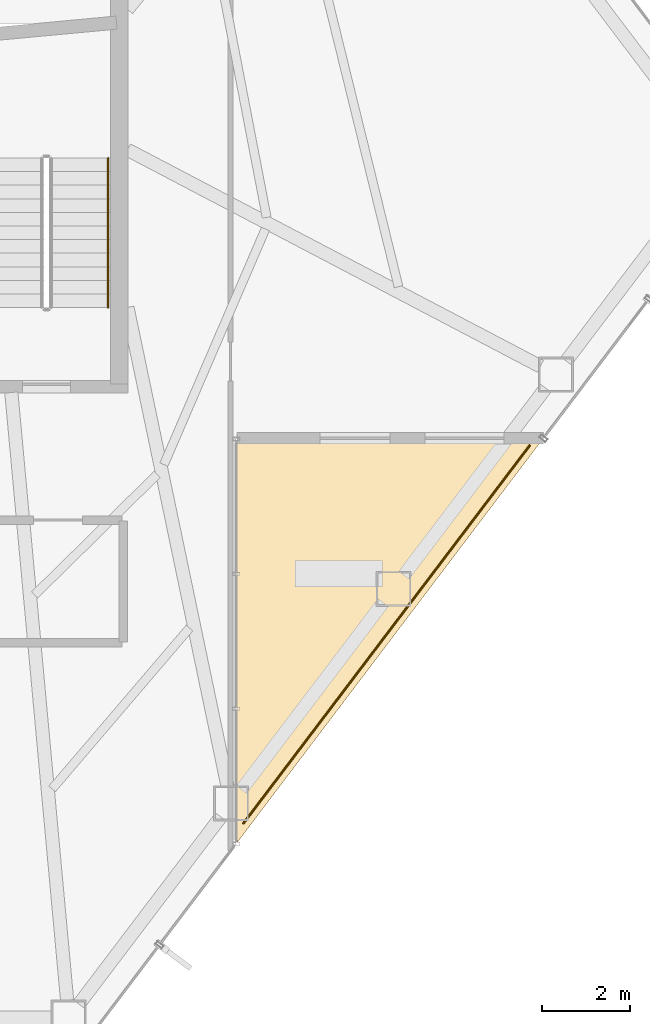
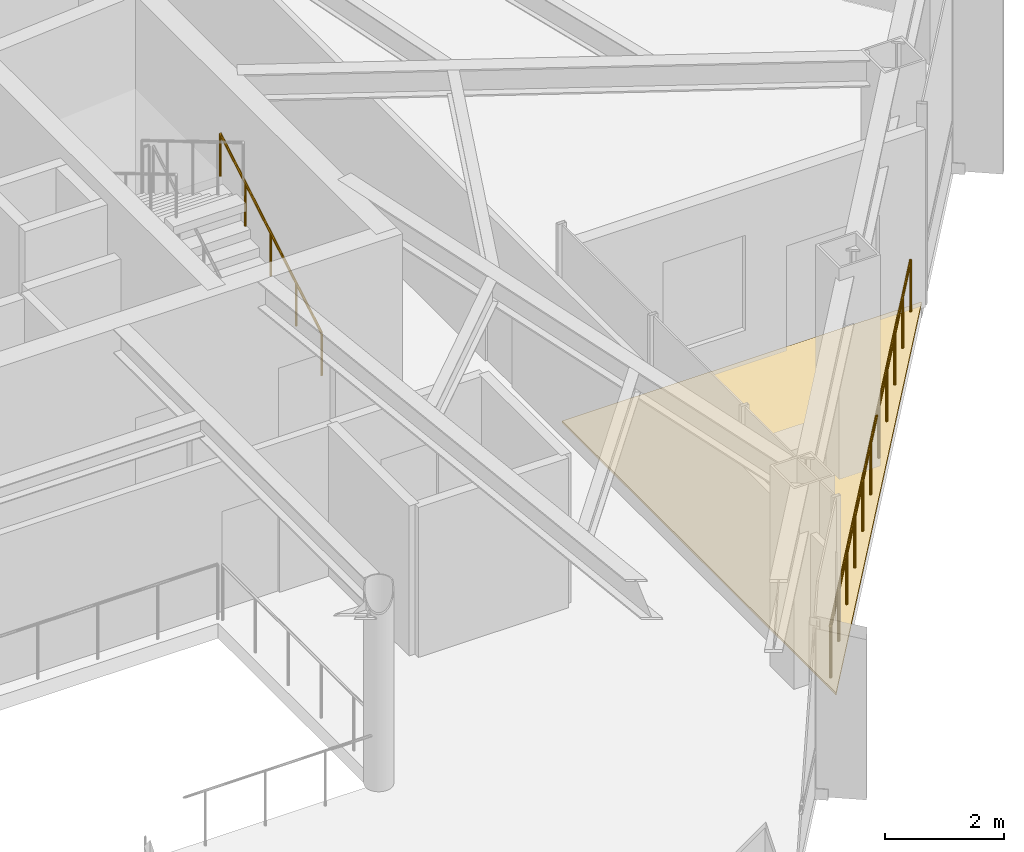
# One storey, part 26 of 27: 2 railings, 1 covering.
"""IFC4 building model written with IfcOpenShell, lengths in metres."""

from ifc_helpers import new_model, si_unit, direction, frame, origin, origin_2d, place, context, subcontext, project, spatial, polyline, circle, outline, extrude, material, layer, layer_set, type_object, element, save


model = new_model("IFC4")

# Units and contexts
model_context = context("Model", 3, precision=1e-05, world=origin(), true_north=direction((0.0, 1.0)))
body_context = subcontext(model_context, "Body", "Model", "MODEL_VIEW")
ifc_project = project(units=[si_unit("LENGTHUNIT", "METRE"), si_unit("AREAUNIT", "SQUARE_METRE"), si_unit("VOLUMEUNIT", "CUBIC_METRE"), si_unit("PLANEANGLEUNIT", "RADIAN"), si_unit("MASSUNIT", "GRAM", prefix="KILO")], contexts=[model_context])

# Site, building, storey
site_placement = place(None, origin())
site = spatial("IfcSite", under=ifc_project, at=site_placement, CompositionType="ELEMENT")
building_placement = place(site_placement, origin())
building = spatial("IfcBuilding", under=site, at=building_placement, Name="Zarrinselat Tower", CompositionType="ELEMENT")
storey_placement = place(building_placement, frame((0.0, 0.0, 114.580078125)))
storey = spatial("IfcBuildingStorey", under=building, at=storey_placement, Name="L27", CompositionType="ELEMENT", Elevation=114.580078125)

# Covering
ifc_material_1 = material(Name="Precast concrete C40/50", Category="concrete")
ifc_layer = layer(ifc_material_1, 0.044921875)
ifc_layer_set = layer_set([ifc_layer], Name="Precast concrete C40/50")
covering_type = type_object("IfcCoveringType", Name="COV-RFG-MB45", PredefinedType="ROOFING", material=ifc_layer_set)
covering_placement = place(storey_placement, origin())
element("IfcCovering", 1, at=covering_placement, inside=storey, type_object=covering_type, Name="L27 Terrace Waterproofing Roofing Deck", PredefinedType="ROOFING", context=body_context, shape_type="SweptSolid", body=[
    extrude(outline(polyline([(50.946533203125, 22.785888671875), (50.946533203125, 32.0), (57.927001953125, 32.0), (50.946533203125, 22.785888671875)])), origin(), (0.0, 0.0, 1.0), 0.044921875),
])

# Railings
ifc_material_2 = material(Name="Steel S355J2", Category="steel")
railing_type_1 = type_object("IfcRailingType", Name="RLG-STAIR-HAND", PredefinedType="HANDRAIL", material=ifc_material_2)
railing_1_placement = place(storey_placement, frame((48.010009765625, 35.0, 0.18408203125)))
element("IfcRailing", 2, at=railing_1_placement, inside=storey, type_object=railing_type_1, Name="L27 ST-2 stair handrail 1", PredefinedType="HANDRAIL", context=body_context, shape_type="SweptSolid", body=[
    extrude(circle(Radius=0.02392578125, at=origin_2d()), frame((0.0, 0.0, 0.8759765625), z_axis=(0.0, 0.85971707285, 0.510770549904), x_axis=(-1.0, 0.0, 0.0)), (0.0, 0.0, 1.0), 3.96630859375),
    extrude(circle(Radius=0.02099609375, at=origin_2d()), origin(), (0.0, 0.0, 1.0), 0.849853515625),
    extrude(circle(Radius=0.02099609375, at=origin_2d()), frame((0.0, 0.8525390625, 0.50634765625)), (0.0, 0.0, 1.0), 0.849853515625),
    extrude(circle(Radius=0.02099609375, at=origin_2d()), frame((0.0, 1.705078125, 1.012939453125)), (0.0, 0.0, 1.0), 0.849853515625),
    extrude(circle(Radius=0.02099609375, at=origin_2d()), frame((0.0, 2.557373046875, 1.51953125)), (0.0, 0.0, 1.0), 0.849853515625),
    extrude(circle(Radius=0.02099609375, at=origin_2d()), frame((0.0, 3.409912109375, 2.02587890625)), (0.0, 0.0, 1.0), 0.849853515625),
])
ifc_material_3 = material(Name="Steel S355J2", Category="steel")
railing_type_2 = type_object("IfcRailingType", Name="RLG-TERR-GUARD", PredefinedType="GUARDRAIL", material=ifc_material_3)
railing_2_placement = place(storey_placement, frame((57.625244140625, 31.85009765625, 0.0)))
element("IfcRailing", 3, at=railing_2_placement, inside=storey, type_object=railing_type_2, Name="L27 Sky Garden Edge Guardrail 3", PredefinedType="GUARDRAIL", context=body_context, shape_type="SweptSolid", body=[
    extrude(circle(Radius=0.02392578125, at=origin_2d()), frame((0.0, 0.0, 1.09619140625), z_axis=(-0.603862470319, -0.797088525159, 0.0), x_axis=(0.797088525159, -0.603862470319, 0.0)), (0.0, 0.0, 1.0), 10.811767578125),
    extrude(circle(Radius=0.02099609375, at=origin_2d()), origin(), (0.0, 0.0, 1.0), 1.070068359375),
    extrude(circle(Radius=0.02099609375, at=origin_2d()), frame((-0.65283203125, -0.86181640625, 0.0)), (0.0, 0.0, 1.0), 1.070068359375),
    extrude(circle(Radius=0.02099609375, at=origin_2d()), frame((-1.3056640625, -1.7236328125, 0.0)), (0.0, 0.0, 1.0), 1.070068359375),
    extrude(circle(Radius=0.02099609375, at=origin_2d()), frame((-1.958740234375, -2.58544921875, 0.0)), (0.0, 0.0, 1.0), 1.070068359375),
    extrude(circle(Radius=0.02099609375, at=origin_2d()), frame((-2.611572265625, -3.447265625, 0.0)), (0.0, 0.0, 1.0), 1.070068359375),
    extrude(circle(Radius=0.02099609375, at=origin_2d()), frame((-3.264404296875, -4.30908203125, 0.0)), (0.0, 0.0, 1.0), 1.070068359375),
    extrude(circle(Radius=0.02099609375, at=origin_2d()), frame((-3.917236328125, -5.170654296875, 0.0)), (0.0, 0.0, 1.0), 1.070068359375),
    extrude(circle(Radius=0.02099609375, at=origin_2d()), frame((-4.570068359375, -6.032470703125, 0.0)), (0.0, 0.0, 1.0), 1.070068359375),
    extrude(circle(Radius=0.02099609375, at=origin_2d()), frame((-5.22314453125, -6.894287109375, 0.0)), (0.0, 0.0, 1.0), 1.070068359375),
    extrude(circle(Radius=0.02099609375, at=origin_2d()), frame((-5.8759765625, -7.756103515625, 0.0)), (0.0, 0.0, 1.0), 1.070068359375),
    extrude(circle(Radius=0.02099609375, at=origin_2d()), frame((-6.52880859375, -8.617919921875, 0.0)), (0.0, 0.0, 1.0), 1.070068359375),
])

save(model, "model.ifc")
